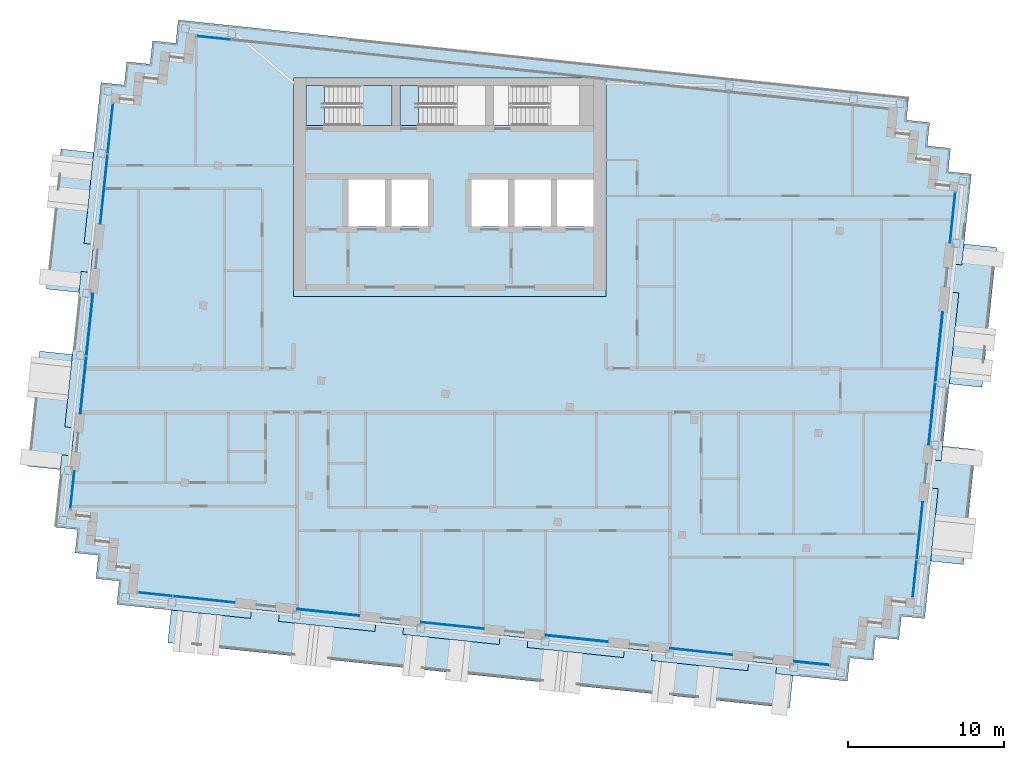
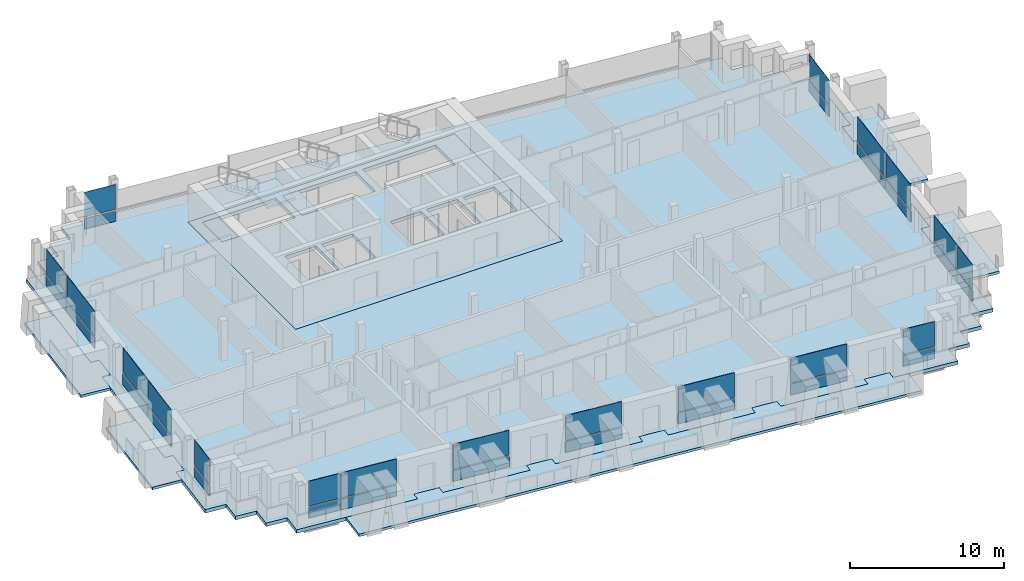
# One storey, part 7 of 16: 36 plates, 10 slabs, 14 elements without a shape of their own.
"""IFC4 building model written with IfcOpenShell, lengths in metres."""

from ifc_helpers import new_model, si_unit, direction, frame, origin, origin_2d, place, context, subcontext, project, spatial, polyline, rectangle, outline, extrude, material, layer, layer_set, type_object, element, aggregate, save


model = new_model("IFC4")

# Units and contexts
model_context = context("Model", 3, precision=1e-05, world=origin(), true_north=direction((0.0, 1.0)))
body_context = subcontext(model_context, "Body", "Model", "MODEL_VIEW")
ifc_project = project(units=[si_unit("LENGTHUNIT", "METRE"), si_unit("AREAUNIT", "SQUARE_METRE"), si_unit("VOLUMEUNIT", "CUBIC_METRE"), si_unit("PLANEANGLEUNIT", "RADIAN"), si_unit("MASSUNIT", "GRAM", prefix="KILO")], contexts=[model_context])

# Site, building, storey
site_placement = place(None, origin())
site = spatial("IfcSite", under=ifc_project, at=site_placement, CompositionType="ELEMENT")
building_placement = place(site_placement, origin())
building = spatial("IfcBuilding", under=site, at=building_placement, Name="Vidyagriha Tower", CompositionType="ELEMENT")
storey_placement = place(building_placement, frame((0.0, 0.0, 256.300048828125)))
storey = spatial("IfcBuildingStorey", under=building, at=storey_placement, Name="L66", CompositionType="ELEMENT", Elevation=256.300048828125)

# Curtain wall, plate
ifc_material_1 = material(Name="Aluminium and glass curtain wall", Category="aluminium")
curtain_wall_type = type_object("IfcCurtainWallType", Name="Dwelling skin unitised curtain wall", PredefinedType="USERDEFINED", material=ifc_material_1)
curtain_wall_1_placement = place(storey_placement, origin())
curtain_wall_1 = element("IfcCurtainWall", 1, at=curtain_wall_1_placement, inside=storey, type_object=curtain_wall_type, Name="CW1 dwelling skin", ObjectType="UNITISED", PredefinedType="USERDEFINED")
ifc_material_2 = material(Name="Glass dark ceramic-fritted spandrel", Category="glass")
ifc_layer_1 = layer(ifc_material_2, 0.0400390625)
ifc_layer_set_1 = layer_set([ifc_layer_1], Name="Glass dark ceramic-fritted spandrel")
plate_type_1 = type_object("IfcPlateType", Name="Ceramic-fritted spandrel panel", PredefinedType="CURTAIN_PANEL", material=ifc_layer_set_1)
plate_1_placement = place(storey_placement, frame((-15.11083984375, 22.56396484375, 0.0), z_axis=(0.0, 0.0, 1.0), x_axis=(-0.994521854435, 0.104528852722, 0.0)))
plate_1 = element("IfcPlate", 2, at=plate_1_placement, type_object=plate_type_1, Name="CW1 panel 7.1", PredefinedType="CURTAIN_PANEL", context=body_context, shape_type="SweptSolid", body=[
    extrude(rectangle(XDim=2.195068359375, YDim=0.0400390625, at=origin_2d()), origin(), (0.0, 0.0, 1.0), 0.85009765625),
])

# Curtain wall, plates
curtain_wall_2_placement = place(storey_placement, origin())
curtain_wall_2 = element("IfcCurtainWall", 3, at=curtain_wall_2_placement, inside=storey, type_object=curtain_wall_type, Name="CW1 dwelling skin", ObjectType="UNITISED", PredefinedType="USERDEFINED")
plate_2_placement = place(storey_placement, frame((-21.7216796875, 16.755615234375, 0.0), z_axis=(0.0, 0.0, 1.0), x_axis=(-0.104525282489, -0.994522229676, 0.0)))
plate_2 = element("IfcPlate", 4, at=plate_2_placement, type_object=plate_type_1, Name="CW1 panel 1.1", PredefinedType="CURTAIN_PANEL", context=body_context, shape_type="SweptSolid", body=[
    extrude(rectangle(XDim=3.195068359375, YDim=0.0400390625, at=origin_2d()), origin(), (0.0, 0.0, 1.0), 0.85009765625),
])
plate_3_placement = place(storey_placement, frame((-22.12939453125, 12.876953125, 0.0), z_axis=(0.0, 0.0, 1.0), x_axis=(-0.104525282489, -0.994522229676, 0.0)))
plate_3 = element("IfcPlate", 5, at=plate_3_placement, type_object=plate_type_1, Name="CW1 panel 2.1", PredefinedType="CURTAIN_PANEL", context=body_context, shape_type="SweptSolid", body=[
    extrude(rectangle(XDim=4.465087890625, YDim=0.0400390625, at=origin_2d()), origin(), (0.0, 0.0, 1.0), 0.85009765625),
])

# Curtain wall, plate
curtain_wall_3_placement = place(storey_placement, origin())
curtain_wall_3 = element("IfcCurtainWall", 6, at=curtain_wall_3_placement, inside=storey, type_object=curtain_wall_type, Name="CW1 dwelling skin", ObjectType="UNITISED", PredefinedType="USERDEFINED")
plate_4_placement = place(storey_placement, frame((-24.151611328125, -6.364501953125, 0.0), z_axis=(0.0, 0.0, 1.0), x_axis=(-0.10451613172, -0.994523191389, 0.0)))
plate_4 = element("IfcPlate", 7, at=plate_4_placement, type_object=plate_type_1, Name="CW1 panel 1.1", PredefinedType="CURTAIN_PANEL", context=body_context, shape_type="SweptSolid", body=[
    extrude(rectangle(XDim=2.43017578125, YDim=0.0400390625, at=origin_2d()), origin(), (0.0, 0.0, 1.0), 0.85009765625),
])

# Curtain wall, plates
curtain_wall_4_placement = place(storey_placement, origin())
curtain_wall_4 = element("IfcCurtainWall", 8, at=curtain_wall_4_placement, inside=storey, type_object=curtain_wall_type, Name="CW1 dwelling skin", ObjectType="UNITISED", PredefinedType="USERDEFINED")
plate_5_placement = place(storey_placement, frame((-18.852783203125, -13.0400390625, 0.0), z_axis=(0.0, 0.0, 1.0), x_axis=(0.994522400055, -0.104523661385, 0.0)))
plate_5 = element("IfcPlate", 9, at=plate_5_placement, type_object=plate_type_1, Name="CW1 panel 1.1", PredefinedType="CURTAIN_PANEL", context=body_context, shape_type="SweptSolid", body=[
    extrude(rectangle(XDim=2.195068359375, YDim=0.0400390625, at=origin_2d()), origin(), (0.0, 0.0, 1.0), 0.85009765625),
])
plate_6_placement = place(storey_placement, frame((-15.72021484375, -13.369384765625, 0.0), z_axis=(0.0, 0.0, 1.0), x_axis=(0.994522400055, -0.104523661385, 0.0)))
plate_6 = element("IfcPlate", 10, at=plate_6_placement, type_object=plate_type_1, Name="CW1 panel 2.1", PredefinedType="CURTAIN_PANEL", context=body_context, shape_type="SweptSolid", body=[
    extrude(rectangle(XDim=3.965087890625, YDim=0.0400390625, at=origin_2d()), origin(), (0.0, 0.0, 1.0), 0.85009765625),
])

# Curtain wall, plate
curtain_wall_5_placement = place(storey_placement, origin())
curtain_wall_5 = element("IfcCurtainWall", 11, at=curtain_wall_5_placement, inside=storey, type_object=curtain_wall_type, Name="CW1 dwelling skin", ObjectType="UNITISED", PredefinedType="USERDEFINED")
plate_7_placement = place(storey_placement, frame((0.1748046875, -15.039794921875, 0.0), z_axis=(0.0, 0.0, 1.0), x_axis=(0.994522016164, -0.104527313963, 0.0)))
plate_7 = element("IfcPlate", 12, at=plate_7_placement, type_object=plate_type_1, Name="CW1 panel 1.1", PredefinedType="CURTAIN_PANEL", context=body_context, shape_type="SweptSolid", body=[
    extrude(rectangle(XDim=4.0, YDim=0.0400390625, at=origin_2d()), origin(), (0.0, 0.0, 1.0), 0.85009765625),
])

curtain_wall_6_placement = place(storey_placement, origin())
curtain_wall_6 = element("IfcCurtainWall", 13, at=curtain_wall_6_placement, inside=storey, type_object=curtain_wall_type, Name="CW1 dwelling skin", ObjectType="UNITISED", PredefinedType="USERDEFINED")
plate_8_placement = place(storey_placement, frame((16.087158203125, -16.71240234375, 0.0), z_axis=(0.0, 0.0, 1.0), x_axis=(0.994522289309, -0.104524715101, 0.0)))
plate_8 = element("IfcPlate", 14, at=plate_8_placement, type_object=plate_type_1, Name="CW1 panel 1.1", PredefinedType="CURTAIN_PANEL", context=body_context, shape_type="SweptSolid", body=[
    extrude(rectangle(XDim=4.0, YDim=0.0400390625, at=origin_2d()), origin(), (0.0, 0.0, 1.0), 0.85009765625),
])

# Curtain wall, plates
curtain_wall_7_placement = place(storey_placement, origin())
curtain_wall_7 = element("IfcCurtainWall", 15, at=curtain_wall_7_placement, inside=storey, type_object=curtain_wall_type, Name="CW1 dwelling skin", ObjectType="UNITISED", PredefinedType="USERDEFINED")
plate_9_placement = place(storey_placement, frame((29.74951171875, -12.04736328125, 0.0), z_axis=(0.0, 0.0, 1.0), x_axis=(0.10453281607, 0.994521437861, 0.0)))
plate_9 = element("IfcPlate", 16, at=plate_9_placement, type_object=plate_type_1, Name="CW1 panel 1.1", PredefinedType="CURTAIN_PANEL", context=body_context, shape_type="SweptSolid", body=[
    extrude(rectangle(XDim=2.39501953125, YDim=0.0400390625, at=origin_2d()), origin(), (0.0, 0.0, 1.0), 0.85009765625),
])
plate_10_placement = place(storey_placement, frame((30.073486328125, -8.96435546875, 0.0), z_axis=(0.0, 0.0, 1.0), x_axis=(0.10453281607, 0.994521437861, 0.0)))
plate_10 = element("IfcPlate", 17, at=plate_10_placement, type_object=plate_type_1, Name="CW1 panel 2.1", PredefinedType="CURTAIN_PANEL", context=body_context, shape_type="SweptSolid", body=[
    extrude(rectangle(XDim=3.6650390625, YDim=0.0400390625, at=origin_2d()), origin(), (0.0, 0.0, 1.0), 0.85009765625),
])

# Curtain wall, plate
curtain_wall_8_placement = place(storey_placement, origin())
curtain_wall_8 = element("IfcCurtainWall", 18, at=curtain_wall_8_placement, inside=storey, type_object=curtain_wall_type, Name="CW1 dwelling skin", ObjectType="UNITISED", PredefinedType="USERDEFINED")
plate_11_placement = place(storey_placement, frame((32.1796875, 11.07275390625, 0.0), z_axis=(0.0, 0.0, 1.0), x_axis=(0.10451599791, 0.994523205451, 0.0)))
plate_11 = element("IfcPlate", 19, at=plate_11_placement, type_object=plate_type_1, Name="CW1 panel 1.1", PredefinedType="CURTAIN_PANEL", context=body_context, shape_type="SweptSolid", body=[
    extrude(rectangle(XDim=3.22998046875, YDim=0.0400390625, at=origin_2d()), origin(), (0.0, 0.0, 1.0), 0.85009765625),
])

# Slab
ifc_material_3 = material(Name="Concrete C60/75", Category="concrete")
ifc_layer_2 = layer(ifc_material_3, 0.280029296875)
ifc_layer_set_2 = layer_set([ifc_layer_2], Name="Concrete C60/75")
slab_type_1 = type_object("IfcSlabType", Name="Core floor slab 280 mm", PredefinedType="FLOOR", material=ifc_layer_set_2)
slab_1_placement = place(storey_placement, frame((0.0, 0.0, -0.280029296875)))
element("IfcSlab", 20, at=slab_1_placement, inside=storey, type_object=slab_type_1, Name="L66 core floor 1", PredefinedType="FLOOR", context=body_context, shape_type="SweptSolid", body=[
    extrude(outline(polyline([(-10.0, 6.0), (-10.0, 20.0), (10.0, 20.0), (10.0, 6.0), (-10.0, 6.0)]), holes=[polyline([(6.86669921875, 13.5), (6.86669921875, 10.5), (9.199951171875, 10.5), (9.199951171875, 13.5), (6.86669921875, 13.5)]), polyline([(4.0, 19.5), (2.800048828125, 19.5), (2.800048828125, 16.949951171875), (4.0, 16.949951171875), (8.300048828125, 16.949951171875), (8.300048828125, 19.5), (4.0, 19.5)]), polyline([(6.466796875, 13.5), (4.13330078125, 13.5), (4.13330078125, 10.5), (6.466796875, 10.5), (6.466796875, 13.5)]), polyline([(3.7333984375, 13.5), (1.39990234375, 13.5), (1.39990234375, 10.5), (3.7333984375, 10.5), (3.7333984375, 13.5)]), polyline([(-2.0, 16.949951171875), (2.300048828125, 16.949951171875), (2.300048828125, 19.5), (-2.0, 19.5), (-3.199951171875, 19.5), (-3.199951171875, 16.949951171875), (-2.0, 16.949951171875)]), polyline([(-3.7333984375, 13.5), (-3.7333984375, 10.5), (-1.39990234375, 10.5), (-1.39990234375, 13.5), (-3.7333984375, 13.5)]), polyline([(-9.199951171875, 19.5), (-9.199951171875, 16.949951171875), (-8.0, 16.949951171875), (-3.699951171875, 16.949951171875), (-3.699951171875, 19.5), (-8.0, 19.5), (-9.199951171875, 19.5)]), polyline([(-6.466796875, 13.5), (-6.466796875, 10.5), (-4.13330078125, 10.5), (-4.13330078125, 13.5), (-6.466796875, 13.5)])]), origin(), (0.0, 0.0, 1.0), 0.280029296875),
])

# Plate
ifc_material_4 = material(Name="Glass dark ceramic-fritted", Category="glass")
ifc_layer_3 = layer(ifc_material_4, 0.028076171875)
ifc_layer_set_3 = layer_set([ifc_layer_3], Name="Glass dark ceramic-fritted")
plate_type_2 = type_object("IfcPlateType", Name="Dark ceramic-fritted vision glass panel", PredefinedType="CURTAIN_PANEL", material=ifc_layer_set_3)
plate_12_placement = place(storey_placement, frame((-15.11083984375, 22.56396484375, 0.9501953125), z_axis=(0.0, 0.0, 1.0), x_axis=(-0.994521854435, 0.104528852722, 0.0)))
plate_12 = element("IfcPlate", 21, at=plate_12_placement, type_object=plate_type_2, Name="CW1 panel 7.2", PredefinedType="CURTAIN_PANEL", context=body_context, shape_type="SweptSolid", body=[
    extrude(rectangle(XDim=2.195068359375, YDim=0.028076171875, at=origin_2d()), origin(), (0.0, 0.0, 1.0), 1.969970703125),
])

aggregate(curtain_wall_1, [plate_1, plate_12])

plate_13_placement = place(storey_placement, frame((-21.7216796875, 16.755615234375, 0.9501953125), z_axis=(0.0, 0.0, 1.0), x_axis=(-0.104525282489, -0.994522229676, 0.0)))
plate_13 = element("IfcPlate", 22, at=plate_13_placement, type_object=plate_type_2, Name="CW1 panel 1.2", PredefinedType="CURTAIN_PANEL", context=body_context, shape_type="SweptSolid", body=[
    extrude(rectangle(XDim=3.195068359375, YDim=0.028076171875, at=origin_2d()), origin(), (0.0, 0.0, 1.0), 1.969970703125),
])

plate_14_placement = place(storey_placement, frame((-22.12939453125, 12.876953125, 0.9501953125), z_axis=(0.0, 0.0, 1.0), x_axis=(-0.104525282489, -0.994522229676, 0.0)))
plate_14 = element("IfcPlate", 23, at=plate_14_placement, type_object=plate_type_2, Name="CW1 panel 2.2", PredefinedType="CURTAIN_PANEL", context=body_context, shape_type="SweptSolid", body=[
    extrude(rectangle(XDim=4.465087890625, YDim=0.028076171875, at=origin_2d()), origin(), (0.0, 0.0, 1.0), 1.969970703125),
])

aggregate(curtain_wall_2, [plate_2, plate_13, plate_3, plate_14])

# Curtain wall, plates
curtain_wall_9_placement = place(storey_placement, origin())
curtain_wall_9 = element("IfcCurtainWall", 24, at=curtain_wall_9_placement, inside=storey, type_object=curtain_wall_type, Name="CW1 dwelling skin", ObjectType="UNITISED", PredefinedType="USERDEFINED")
plate_15_placement = place(storey_placement, frame((-23.040283203125, 4.209716796875, 0.9501953125), z_axis=(0.0, 0.0, 1.0), x_axis=(-0.10453267483, -0.994521452706, 0.0)))
plate_15 = element("IfcPlate", 25, at=plate_15_placement, type_object=plate_type_2, Name="CW1 panel 1.2", PredefinedType="CURTAIN_PANEL", context=body_context, shape_type="SweptSolid", body=[
    extrude(rectangle(XDim=3.965087890625, YDim=0.028076171875, at=origin_2d()), origin(), (0.0, 0.0, 1.0), 1.969970703125),
])
plate_16_placement = place(storey_placement, frame((-23.4462890625, 0.345947265625, 0.9501953125), z_axis=(0.0, 0.0, 1.0), x_axis=(-0.10453267483, -0.994521452706, 0.0)))
plate_16 = element("IfcPlate", 26, at=plate_16_placement, type_object=plate_type_2, Name="CW1 panel 2.2", PredefinedType="CURTAIN_PANEL", context=body_context, shape_type="SweptSolid", body=[
    extrude(rectangle(XDim=3.6650390625, YDim=0.028076171875, at=origin_2d()), origin(), (0.0, 0.0, 1.0), 1.969970703125),
])

# Plate
plate_17_placement = place(storey_placement, frame((-24.151611328125, -6.364501953125, 0.9501953125), z_axis=(0.0, 0.0, 1.0), x_axis=(-0.10451613172, -0.994523191389, 0.0)))
plate_17 = element("IfcPlate", 27, at=plate_17_placement, type_object=plate_type_2, Name="CW1 panel 1.2", PredefinedType="CURTAIN_PANEL", context=body_context, shape_type="SweptSolid", body=[
    extrude(rectangle(XDim=2.43017578125, YDim=0.028076171875, at=origin_2d()), origin(), (0.0, 0.0, 1.0), 1.969970703125),
])

aggregate(curtain_wall_3, [plate_4, plate_17])

plate_18_placement = place(storey_placement, frame((-18.852783203125, -13.0400390625, 0.9501953125), z_axis=(0.0, 0.0, 1.0), x_axis=(0.994522400055, -0.104523661385, 0.0)))
plate_18 = element("IfcPlate", 28, at=plate_18_placement, type_object=plate_type_2, Name="CW1 panel 1.2", PredefinedType="CURTAIN_PANEL", context=body_context, shape_type="SweptSolid", body=[
    extrude(rectangle(XDim=2.195068359375, YDim=0.028076171875, at=origin_2d()), origin(), (0.0, 0.0, 1.0), 1.969970703125),
])

plate_19_placement = place(storey_placement, frame((-15.72021484375, -13.369384765625, 0.9501953125), z_axis=(0.0, 0.0, 1.0), x_axis=(0.994522400055, -0.104523661385, 0.0)))
plate_19 = element("IfcPlate", 29, at=plate_19_placement, type_object=plate_type_2, Name="CW1 panel 2.2", PredefinedType="CURTAIN_PANEL", context=body_context, shape_type="SweptSolid", body=[
    extrude(rectangle(XDim=3.965087890625, YDim=0.028076171875, at=origin_2d()), origin(), (0.0, 0.0, 1.0), 1.969970703125),
])

aggregate(curtain_wall_4, [plate_5, plate_18, plate_6, plate_19])

# Curtain wall, plate
curtain_wall_10_placement = place(storey_placement, origin())
curtain_wall_10 = element("IfcCurtainWall", 30, at=curtain_wall_10_placement, inside=storey, type_object=curtain_wall_type, Name="CW1 dwelling skin", ObjectType="UNITISED", PredefinedType="USERDEFINED")
plate_20_placement = place(storey_placement, frame((-7.78125, -14.20361328125, 0.9501953125), z_axis=(0.0, 0.0, 1.0), x_axis=(0.994519690211, -0.104549441808, 0.0)))
plate_20 = element("IfcPlate", 31, at=plate_20_placement, type_object=plate_type_2, Name="CW1 panel 1.2", PredefinedType="CURTAIN_PANEL", context=body_context, shape_type="SweptSolid", body=[
    extrude(rectangle(XDim=4.0, YDim=0.028076171875, at=origin_2d()), origin(), (0.0, 0.0, 1.0), 1.969970703125),
])

# Plate
plate_21_placement = place(storey_placement, frame((0.1748046875, -15.039794921875, 0.9501953125), z_axis=(0.0, 0.0, 1.0), x_axis=(0.994522016164, -0.104527313963, 0.0)))
plate_21 = element("IfcPlate", 32, at=plate_21_placement, type_object=plate_type_2, Name="CW1 panel 1.2", PredefinedType="CURTAIN_PANEL", context=body_context, shape_type="SweptSolid", body=[
    extrude(rectangle(XDim=4.0, YDim=0.028076171875, at=origin_2d()), origin(), (0.0, 0.0, 1.0), 1.969970703125),
])

aggregate(curtain_wall_5, [plate_7, plate_21])

# Curtain wall, plate
curtain_wall_11_placement = place(storey_placement, origin())
curtain_wall_11 = element("IfcCurtainWall", 33, at=curtain_wall_11_placement, inside=storey, type_object=curtain_wall_type, Name="CW1 dwelling skin", ObjectType="UNITISED", PredefinedType="USERDEFINED")
plate_22_placement = place(storey_placement, frame((8.131103515625, -15.876220703125, 0.9501953125), z_axis=(0.0, 0.0, 1.0), x_axis=(0.994522289309, -0.104524715101, 0.0)))
plate_22 = element("IfcPlate", 34, at=plate_22_placement, type_object=plate_type_2, Name="CW1 panel 1.2", PredefinedType="CURTAIN_PANEL", context=body_context, shape_type="SweptSolid", body=[
    extrude(rectangle(XDim=4.0, YDim=0.028076171875, at=origin_2d()), origin(), (0.0, 0.0, 1.0), 1.969970703125),
])

# Plate
plate_23_placement = place(storey_placement, frame((16.087158203125, -16.71240234375, 0.9501953125), z_axis=(0.0, 0.0, 1.0), x_axis=(0.994522289309, -0.104524715101, 0.0)))
plate_23 = element("IfcPlate", 35, at=plate_23_placement, type_object=plate_type_2, Name="CW1 panel 1.2", PredefinedType="CURTAIN_PANEL", context=body_context, shape_type="SweptSolid", body=[
    extrude(rectangle(XDim=4.0, YDim=0.028076171875, at=origin_2d()), origin(), (0.0, 0.0, 1.0), 1.969970703125),
])

aggregate(curtain_wall_6, [plate_8, plate_23])

# Curtain wall, plate
curtain_wall_12_placement = place(storey_placement, origin())
curtain_wall_12 = element("IfcCurtainWall", 36, at=curtain_wall_12_placement, inside=storey, type_object=curtain_wall_type, Name="CW1 dwelling skin", ObjectType="UNITISED", PredefinedType="USERDEFINED")
plate_24_placement = place(storey_placement, frame((23.1630859375, -17.4560546875, 0.9501953125), z_axis=(0.0, 0.0, 1.0), x_axis=(0.994522592653, -0.10452182883, 0.0)))
plate_24 = element("IfcPlate", 37, at=plate_24_placement, type_object=plate_type_2, Name="CW1 panel 1.2", PredefinedType="CURTAIN_PANEL", context=body_context, shape_type="SweptSolid", body=[
    extrude(rectangle(XDim=2.22998046875, YDim=0.028076171875, at=origin_2d()), origin(), (0.0, 0.0, 1.0), 1.969970703125),
])

# Plate
plate_25_placement = place(storey_placement, frame((29.74951171875, -12.04736328125, 0.9501953125), z_axis=(0.0, 0.0, 1.0), x_axis=(0.10453281607, 0.994521437861, 0.0)))
plate_25 = element("IfcPlate", 38, at=plate_25_placement, type_object=plate_type_2, Name="CW1 panel 1.2", PredefinedType="CURTAIN_PANEL", context=body_context, shape_type="SweptSolid", body=[
    extrude(rectangle(XDim=2.39501953125, YDim=0.028076171875, at=origin_2d()), origin(), (0.0, 0.0, 1.0), 1.969970703125),
])

plate_26_placement = place(storey_placement, frame((30.073486328125, -8.96435546875, 0.9501953125), z_axis=(0.0, 0.0, 1.0), x_axis=(0.10453281607, 0.994521437861, 0.0)))
plate_26 = element("IfcPlate", 39, at=plate_26_placement, type_object=plate_type_2, Name="CW1 panel 2.2", PredefinedType="CURTAIN_PANEL", context=body_context, shape_type="SweptSolid", body=[
    extrude(rectangle(XDim=3.6650390625, YDim=0.028076171875, at=origin_2d()), origin(), (0.0, 0.0, 1.0), 1.969970703125),
])

aggregate(curtain_wall_7, [plate_9, plate_25, plate_10, plate_26])

# Curtain wall, plates
curtain_wall_13_placement = place(storey_placement, origin())
curtain_wall_13 = element("IfcCurtainWall", 40, at=curtain_wall_13_placement, inside=storey, type_object=curtain_wall_type, Name="CW1 dwelling skin", ObjectType="UNITISED", PredefinedType="USERDEFINED")
plate_27_placement = place(storey_placement, frame((30.859130859375, -1.490478515625, 0.9501953125), z_axis=(0.0, 0.0, 1.0), x_axis=(0.104529843047, 0.994521750347, 0.0)))
plate_27 = element("IfcPlate", 41, at=plate_27_placement, type_object=plate_type_2, Name="CW1 panel 1.2", PredefinedType="CURTAIN_PANEL", context=body_context, shape_type="SweptSolid", body=[
    extrude(rectangle(XDim=3.965087890625, YDim=0.028076171875, at=origin_2d()), origin(), (0.0, 0.0, 1.0), 1.969970703125),
])
plate_28_placement = place(storey_placement, frame((31.306884765625, 2.77099609375, 0.9501953125), z_axis=(0.0, 0.0, 1.0), x_axis=(0.104529843047, 0.994521750347, 0.0)))
plate_28 = element("IfcPlate", 42, at=plate_28_placement, type_object=plate_type_2, Name="CW1 panel 2.2", PredefinedType="CURTAIN_PANEL", context=body_context, shape_type="SweptSolid", body=[
    extrude(rectangle(XDim=4.465087890625, YDim=0.028076171875, at=origin_2d()), origin(), (0.0, 0.0, 1.0), 1.969970703125),
])

# Plate
plate_29_placement = place(storey_placement, frame((32.1796875, 11.07275390625, 0.9501953125), z_axis=(0.0, 0.0, 1.0), x_axis=(0.10451599791, 0.994523205451, 0.0)))
plate_29 = element("IfcPlate", 43, at=plate_29_placement, type_object=plate_type_2, Name="CW1 panel 1.2", PredefinedType="CURTAIN_PANEL", context=body_context, shape_type="SweptSolid", body=[
    extrude(rectangle(XDim=3.22998046875, YDim=0.028076171875, at=origin_2d()), origin(), (0.0, 0.0, 1.0), 1.969970703125),
])

aggregate(curtain_wall_8, [plate_11, plate_29])

# Slabs
ifc_material_5 = material(Name="Concrete C40/50", Category="concrete")
ifc_layer_4 = layer(ifc_material_5, 0.280029296875)
ifc_layer_set_4 = layer_set([ifc_layer_4], Name="Concrete C40/50")
slab_type_2 = type_object("IfcSlabType", Name="Exit stair floor landing 280 mm", PredefinedType="LANDING", material=ifc_layer_set_4)
slab_2_placement = place(storey_placement, frame((0.0, 0.0, -0.280029296875)))
element("IfcSlab", 44, at=slab_2_placement, inside=storey, type_object=slab_type_2, Name="ST1 floor landing L66", PredefinedType="LANDING", context=body_context, shape_type="SweptSolid", body=[
    extrude(outline(polyline([(-9.199951171875, 16.949951171875), (-8.0, 16.949951171875), (-8.0, 19.5), (-9.199951171875, 19.5), (-9.199951171875, 16.949951171875)])), origin(), (0.0, 0.0, 1.0), 0.280029296875),
])
slab_3_placement = place(storey_placement, frame((0.0, 0.0, -0.280029296875)))
element("IfcSlab", 45, at=slab_3_placement, inside=storey, type_object=slab_type_2, Name="ST2 floor landing L66", PredefinedType="LANDING", context=body_context, shape_type="SweptSolid", body=[
    extrude(outline(polyline([(-3.199951171875, 16.949951171875), (-2.0, 16.949951171875), (-2.0, 19.5), (-3.199951171875, 19.5), (-3.199951171875, 16.949951171875)])), origin(), (0.0, 0.0, 1.0), 0.280029296875),
])

# Stair, slab
ifc_material_6 = material(Name="Concrete C40/50", Category="concrete")
stair_type = type_object("IfcStairType", Name="Exit stair, half-turn, precast flights", PredefinedType="HALF_TURN_STAIR", material=ifc_material_6)
stair_placement = place(storey_placement, origin())
stair = element("IfcStair", 46, at=stair_placement, inside=storey, type_object=stair_type, Name="L66 Exit Stair ST1", PredefinedType="HALF_TURN_STAIR")
ifc_material_7 = material(Name="Concrete C40/50", Category="concrete")
ifc_layer_5 = layer(ifc_material_7, 0.199951171875)
ifc_layer_set_5 = layer_set([ifc_layer_5], Name="Concrete C40/50")
slab_type_3 = type_object("IfcSlabType", Name="Exit stair landing 200 mm", PredefinedType="LANDING", material=ifc_layer_set_5)
slab_4_placement = place(storey_placement, frame((0.0, 0.0, 1.39990234375)))
slab_4 = element("IfcSlab", 47, at=slab_4_placement, type_object=slab_type_3, Name="ST1 landing 1", PredefinedType="LANDING", context=body_context, shape_type="SweptSolid", body=[
    extrude(outline(polyline([(-5.760009765625, 16.949951171875), (-3.699951171875, 16.949951171875), (-3.699951171875, 19.5), (-5.760009765625, 19.5), (-5.760009765625, 16.949951171875)])), origin(), (0.0, 0.0, 1.0), 0.199951171875),
])
aggregate(stair, [slab_4])

# Plate
ifc_material_8 = material(Name="Aluminium black anodised", Category="aluminium")
ifc_layer_6 = layer(ifc_material_8, 0.06005859375)
ifc_layer_set_6 = layer_set([ifc_layer_6], Name="Aluminium black anodised")
plate_type_3 = type_object("IfcPlateType", Name="Operable black-metal vent panel", PredefinedType="CURTAIN_PANEL", material=ifc_layer_set_6)
plate_30_placement = place(storey_placement, frame((-23.040283203125, 4.209716796875, 0.0), z_axis=(0.0, 0.0, 1.0), x_axis=(-0.10453267483, -0.994521452706, 0.0)))
plate_30 = element("IfcPlate", 48, at=plate_30_placement, type_object=plate_type_3, Name="CW1 panel 1.1", PredefinedType="CURTAIN_PANEL", context=body_context, shape_type="SweptSolid", body=[
    extrude(rectangle(XDim=3.965087890625, YDim=0.06005859375, at=origin_2d()), origin(), (0.0, 0.0, 1.0), 0.85009765625),
])

plate_31_placement = place(storey_placement, frame((-23.4462890625, 0.345947265625, 0.0), z_axis=(0.0, 0.0, 1.0), x_axis=(-0.10453267483, -0.994521452706, 0.0)))
plate_31 = element("IfcPlate", 49, at=plate_31_placement, type_object=plate_type_3, Name="CW1 panel 2.1", PredefinedType="CURTAIN_PANEL", context=body_context, shape_type="SweptSolid", body=[
    extrude(rectangle(XDim=3.6650390625, YDim=0.06005859375, at=origin_2d()), origin(), (0.0, 0.0, 1.0), 0.85009765625),
])

aggregate(curtain_wall_9, [plate_30, plate_15, plate_31, plate_16])

plate_32_placement = place(storey_placement, frame((-7.78125, -14.20361328125, 0.0), z_axis=(0.0, 0.0, 1.0), x_axis=(0.994519690211, -0.104549441808, 0.0)))
plate_32 = element("IfcPlate", 50, at=plate_32_placement, type_object=plate_type_3, Name="CW1 panel 1.1", PredefinedType="CURTAIN_PANEL", context=body_context, shape_type="SweptSolid", body=[
    extrude(rectangle(XDim=4.0, YDim=0.06005859375, at=origin_2d()), origin(), (0.0, 0.0, 1.0), 0.85009765625),
])

aggregate(curtain_wall_10, [plate_32, plate_20])

plate_33_placement = place(storey_placement, frame((8.131103515625, -15.876220703125, 0.0), z_axis=(0.0, 0.0, 1.0), x_axis=(0.994522289309, -0.104524715101, 0.0)))
plate_33 = element("IfcPlate", 51, at=plate_33_placement, type_object=plate_type_3, Name="CW1 panel 1.1", PredefinedType="CURTAIN_PANEL", context=body_context, shape_type="SweptSolid", body=[
    extrude(rectangle(XDim=4.0, YDim=0.06005859375, at=origin_2d()), origin(), (0.0, 0.0, 1.0), 0.85009765625),
])

aggregate(curtain_wall_11, [plate_33, plate_22])

plate_34_placement = place(storey_placement, frame((23.1630859375, -17.4560546875, 0.0), z_axis=(0.0, 0.0, 1.0), x_axis=(0.994522592653, -0.10452182883, 0.0)))
plate_34 = element("IfcPlate", 52, at=plate_34_placement, type_object=plate_type_3, Name="CW1 panel 1.1", PredefinedType="CURTAIN_PANEL", context=body_context, shape_type="SweptSolid", body=[
    extrude(rectangle(XDim=2.22998046875, YDim=0.06005859375, at=origin_2d()), origin(), (0.0, 0.0, 1.0), 0.85009765625),
])

aggregate(curtain_wall_12, [plate_34, plate_24])

plate_35_placement = place(storey_placement, frame((30.859130859375, -1.490478515625, 0.0), z_axis=(0.0, 0.0, 1.0), x_axis=(0.104529843047, 0.994521750347, 0.0)))
plate_35 = element("IfcPlate", 53, at=plate_35_placement, type_object=plate_type_3, Name="CW1 panel 1.1", PredefinedType="CURTAIN_PANEL", context=body_context, shape_type="SweptSolid", body=[
    extrude(rectangle(XDim=3.965087890625, YDim=0.06005859375, at=origin_2d()), origin(), (0.0, 0.0, 1.0), 0.85009765625),
])

plate_36_placement = place(storey_placement, frame((31.306884765625, 2.77099609375, 0.0), z_axis=(0.0, 0.0, 1.0), x_axis=(0.104529843047, 0.994521750347, 0.0)))
plate_36 = element("IfcPlate", 54, at=plate_36_placement, type_object=plate_type_3, Name="CW1 panel 2.1", PredefinedType="CURTAIN_PANEL", context=body_context, shape_type="SweptSolid", body=[
    extrude(rectangle(XDim=4.465087890625, YDim=0.06005859375, at=origin_2d()), origin(), (0.0, 0.0, 1.0), 0.85009765625),
])

aggregate(curtain_wall_13, [plate_35, plate_27, plate_36, plate_28])

# Slabs
ifc_material_9 = material(Name="Concrete C50/60", Category="concrete")
ifc_layer_7 = layer(ifc_material_9, 0.280029296875)
ifc_layer_set_7 = layer_set([ifc_layer_7], Name="Concrete C50/60")
slab_type_4 = type_object("IfcSlabType", Name="Post-tensioned flat plate 280", PredefinedType="FLOOR", material=ifc_layer_set_7)
slab_5_placement = place(storey_placement, frame((0.0, 0.0, -0.280029296875)))
element("IfcSlab", 55, at=slab_5_placement, inside=storey, type_object=slab_type_4, Name="st-slab-L66-1", PredefinedType="FLOOR", context=body_context, shape_type="SweptSolid", body=[
    extrude(outline(polyline([(28.738037109375, -15.930419921875), (27.246337890625, -15.773681640625), (27.089599609375, -17.265380859375), (25.597900390625, -17.108642578125), (25.44091796875, -18.600341796875), (20.8662109375, -18.11962890625), (20.928955078125, -17.52294921875), (19.138916015625, -17.334716796875), (19.076171875, -17.931396484375), (12.91015625, -17.283447265625), (12.972900390625, -16.686767578125), (11.1826171875, -16.49853515625), (11.119873046875, -17.09521484375), (4.953857421875, -16.447265625), (5.0166015625, -15.8505859375), (3.226318359375, -15.662353515625), (3.163818359375, -16.259033203125), (-3.002197265625, -15.61083984375), (-2.939453125, -15.014404296875), (-4.729736328125, -14.826171875), (-4.79248046875, -15.4228515625), (-10.95849609375, -14.774658203125), (-10.895751953125, -14.177978515625), (-12.685791015625, -13.98974609375), (-12.74853515625, -14.586669921875), (-21.301513671875, -13.6875), (-21.144775390625, -12.19580078125), (-22.636474609375, -12.0390625), (-22.479736328125, -10.547119140625), (-23.971435546875, -10.390380859375), (-23.814697265625, -8.898681640625), (-25.306396484375, -8.741943359375), (-24.8203125, -4.1171875), (-24.223876953125, -4.179931640625), (-24.03564453125, -2.389892578125), (-24.63232421875, -2.3271484375), (-23.5869140625, 7.617919921875), (-22.990234375, 7.555419921875), (-22.80224609375, 9.345458984375), (-23.39892578125, 9.408203125), (-22.31689453125, 19.701416015625), (-20.8251953125, 19.544677734375), (-20.66845703125, 21.036376953125), (-19.176513671875, 20.879638671875), (-19.019775390625, 22.371337890625), (-17.528076171875, 22.214599609375), (-17.371337890625, 23.706298828125), (29.371337890625, 18.793701171875), (29.214599609375, 17.3017578125), (30.706298828125, 17.14501953125), (30.549560546875, 15.6533203125), (32.041259765625, 15.496337890625), (31.884521484375, 14.004638671875), (33.376220703125, 13.847900390625), (32.7646484375, 8.02978515625), (32.16796875, 8.092529296875), (31.97998046875, 6.302490234375), (32.57666015625, 6.23974609375), (31.44775390625, -4.501220703125), (30.85107421875, -4.4384765625), (30.662841796875, -6.228515625), (31.259521484375, -6.291259765625), (30.38671875, -14.595458984375), (28.89501953125, -14.438720703125), (28.738037109375, -15.930419921875)]), holes=[polyline([(-10.0, 20.0), (-10.0, 6.0), (10.0, 6.0), (10.0, 20.0), (-10.0, 20.0)])]), origin(), (0.0, 0.0, 1.0), 0.280029296875),
])
ifc_material_10 = material(Name="Precast concrete C40/50", Category="concrete")
ifc_layer_8 = layer(ifc_material_10, 0.199951171875)
ifc_layer_set_8 = layer_set([ifc_layer_8], Name="Precast concrete C40/50")
slab_type_5 = type_object("IfcSlabType", Name="Precast balcony slab 200", PredefinedType="USERDEFINED", material=ifc_layer_set_8)
slab_6_placement = place(storey_placement, frame((0.0, 0.0, -0.199951171875)))
element("IfcSlab", 56, at=slab_6_placement, inside=storey, type_object=slab_type_5, Name="Balcony slab L66 R14.1-1", ObjectType="BALCONY", PredefinedType="USERDEFINED", context=body_context, shape_type="SweptSolid", body=[
    extrude(outline(polyline([(-22.990234375, 7.555419921875), (-22.80224609375, 9.345458984375), (-23.39892578125, 9.408203125), (-22.787353515625, 15.226318359375), (-24.8759765625, 15.44580078125), (-25.816650390625, 6.4951171875), (-23.728271484375, 6.275390625), (-23.587158203125, 7.617919921875), (-22.990234375, 7.555419921875)])), origin(), (0.0, 0.0, 1.0), 0.199951171875),
])
slab_7_placement = place(storey_placement, frame((0.0, 0.0, -0.199951171875)))
element("IfcSlab", 57, at=slab_7_placement, inside=storey, type_object=slab_type_5, Name="Balcony slab L66 R14.2-2", ObjectType="BALCONY", PredefinedType="USERDEFINED", context=body_context, shape_type="SweptSolid", body=[
    extrude(outline(polyline([(-24.223876953125, -4.179931640625), (-24.03564453125, -2.389892578125), (-24.63232421875, -2.3271484375), (-24.146240234375, 2.29736328125), (-26.23486328125, 2.516845703125), (-27.00830078125, -4.842529296875), (-24.919921875, -5.06201171875), (-24.820556640625, -4.1171875), (-24.223876953125, -4.179931640625)])), origin(), (0.0, 0.0, 1.0), 0.199951171875),
])
slab_8_placement = place(storey_placement, frame((0.0, 0.0, -0.199951171875)))
element("IfcSlab", 58, at=slab_8_placement, inside=storey, type_object=slab_type_5, Name="Balcony slab L66 R21.1-5", ObjectType="BALCONY", PredefinedType="USERDEFINED", context=body_context, shape_type="SweptSolid", body=[
    extrude(outline(polyline([(20.8662109375, -18.11962890625), (20.928955078125, -17.52294921875), (19.138916015625, -17.334716796875), (19.076171875, -17.931396484375), (12.91015625, -17.283447265625), (12.972900390625, -16.686767578125), (11.1826171875, -16.49853515625), (11.119873046875, -17.09521484375), (4.953857421875, -16.447265625), (5.0166015625, -15.8505859375), (3.226318359375, -15.662353515625), (3.163818359375, -16.259033203125), (-3.002197265625, -15.611083984375), (-2.939453125, -15.014404296875), (-4.729736328125, -14.826171875), (-4.79248046875, -15.4228515625), (-10.95849609375, -14.774658203125), (-10.895751953125, -14.177978515625), (-12.685791015625, -13.98974609375), (-12.74853515625, -14.586669921875), (-17.82080078125, -14.053466796875), (-18.040283203125, -16.14208984375), (21.74072265625, -20.322998046875), (21.960205078125, -18.234619140625), (20.8662109375, -18.11962890625)])), origin(), (0.0, 0.0, 1.0), 0.199951171875),
])
slab_9_placement = place(storey_placement, frame((0.0, 0.0, -0.199951171875)))
element("IfcSlab", 59, at=slab_9_placement, inside=storey, type_object=slab_type_5, Name="Balcony slab L66 R28.1-1", ObjectType="BALCONY", PredefinedType="USERDEFINED", context=body_context, shape_type="SweptSolid", body=[
    extrude(outline(polyline([(31.259521484375, -6.291259765625), (30.7734375, -10.915771484375), (32.862060546875, -11.13525390625), (33.635498046875, -3.77587890625), (31.547119140625, -3.556396484375), (31.44775390625, -4.501220703125), (30.85107421875, -4.4384765625), (30.662841796875, -6.228515625), (31.259521484375, -6.291259765625)])), origin(), (0.0, 0.0, 1.0), 0.199951171875),
])
slab_10_placement = place(storey_placement, frame((0.0, 0.0, -0.199951171875)))
element("IfcSlab", 60, at=slab_10_placement, inside=storey, type_object=slab_type_5, Name="Balcony slab L66 R28.2-2", ObjectType="BALCONY", PredefinedType="USERDEFINED", context=body_context, shape_type="SweptSolid", body=[
    extrude(outline(polyline([(32.57666015625, 6.23974609375), (31.965087890625, 0.421875), (34.0537109375, 0.202392578125), (34.994384765625, 9.153076171875), (32.906005859375, 9.37255859375), (32.764892578125, 8.02978515625), (32.16796875, 8.092529296875), (31.97998046875, 6.302490234375), (32.57666015625, 6.23974609375)])), origin(), (0.0, 0.0, 1.0), 0.199951171875),
])

save(model, "model.ifc")
